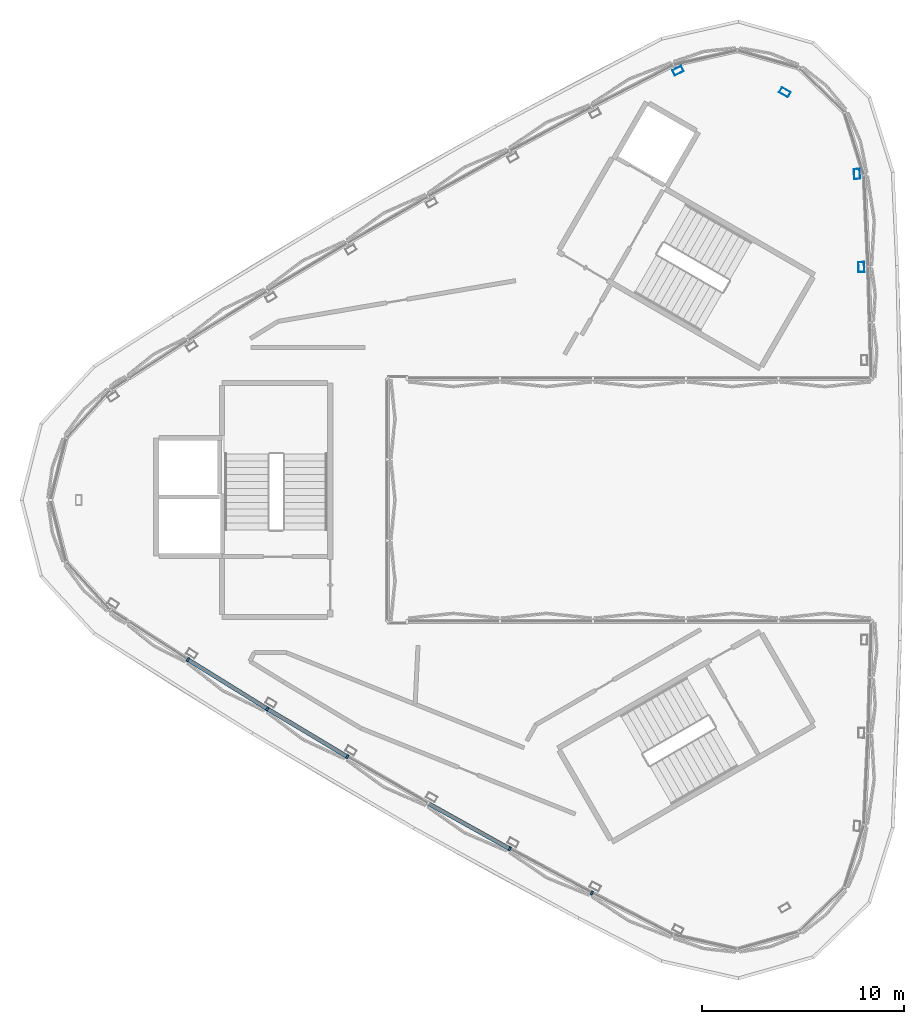
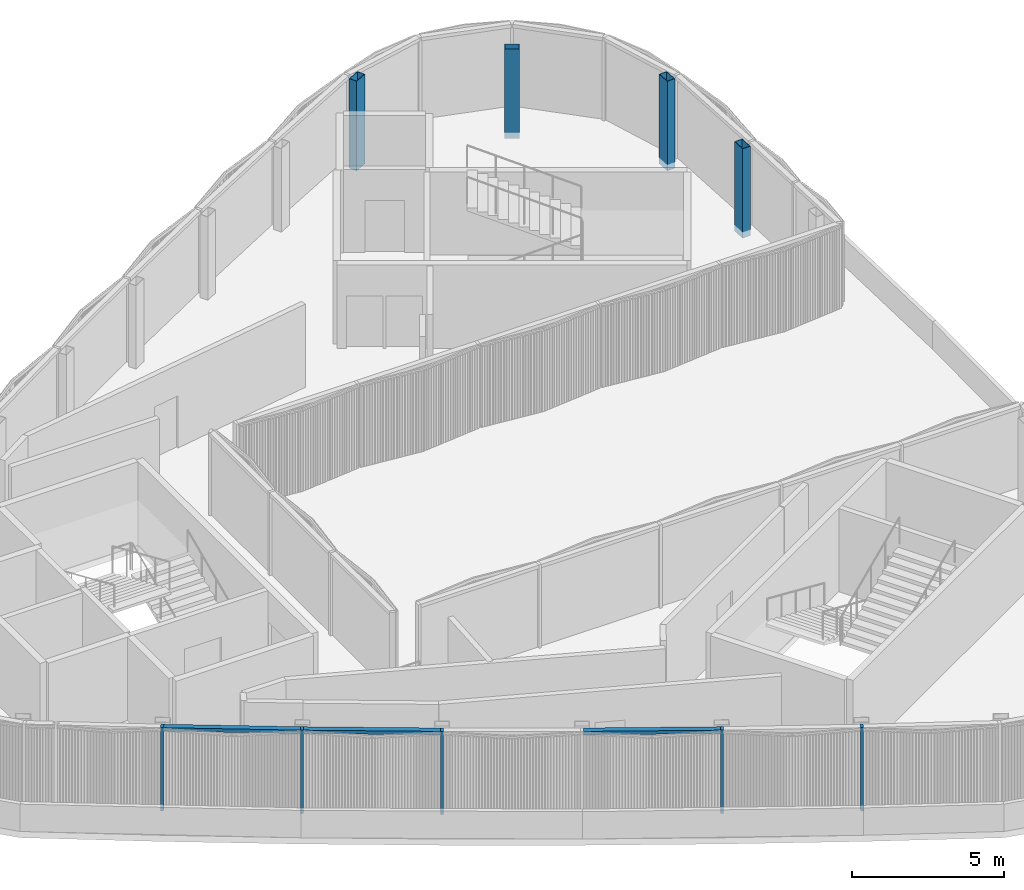
# One storey, part 2 of 16: 8 members, 4 columns, 1 element without a shape of its own.
"""IFC4 building model written with IfcOpenShell, lengths in metres."""

from ifc_helpers import new_model, si_unit, direction, frame, origin, origin_2d, place, context, subcontext, project, spatial, rectangle, hollow_rectangle, extrude, material, material_profile, profile_set, type_object, element, aggregate, save


model = new_model("IFC4")

# Units and contexts
model_context = context("Model", 3, precision=1e-05, world=origin(), true_north=direction((0.0, 1.0)))
body_context = subcontext(model_context, "Body", "Model", "MODEL_VIEW")
ifc_project = project(units=[si_unit("LENGTHUNIT", "METRE"), si_unit("AREAUNIT", "SQUARE_METRE"), si_unit("VOLUMEUNIT", "CUBIC_METRE"), si_unit("PLANEANGLEUNIT", "RADIAN"), si_unit("MASSUNIT", "GRAM", prefix="KILO")], contexts=[model_context])

# Site, building, storey
site_placement = place(None, origin())
site = spatial("IfcSite", under=ifc_project, at=site_placement, CompositionType="ELEMENT")
building_placement = place(site_placement, origin())
building = spatial("IfcBuilding", under=site, at=building_placement, Name="Tamra Quay Hotel Tower", CompositionType="ELEMENT")
storey_placement = place(building_placement, frame((0.0, 0.0, 320.60009765625)))
storey = spatial("IfcBuildingStorey", under=building, at=storey_placement, Name="Roof crown 1", CompositionType="ELEMENT", Elevation=320.60009765625)

# Columns
ifc_material_1 = material(Name="Structural steel IS 2062 E350", Category="steel")
ifc_material_profile_1 = material_profile(ifc_material_1, hollow_rectangle(XDim=0.300048828125, YDim=0.5, WallThickness=0.01611328125, at=origin_2d()), Name="RHS 500x300x16")
ifc_profile_set_1 = profile_set([ifc_material_profile_1], Name="Structural steel IS 2062 E350")
column_type = type_object("IfcColumnType", Name="CROWN FRAME POST RHS 500x300x16", PredefinedType="COLUMN", material=ifc_profile_set_1)
for number, where, z_axis, x_axis, name in (
    (1, (15.418212890625, 11.51513671875, -0.25), (0.0, 0.0, 1.0), (0.999251212442, 0.03869127076, 0.0), "CF-A-C6E07-Roofcrown1"),
    (2, (15.202392578125, 16.116943359375, -0.25), (0.0, 0.0, 1.0), (0.998490919119, 0.05491706873, 0.0), "CF-A-C6E08-Roofcrown1"),
    (3, (11.63671875, 20.1552734375, -0.25), (0.0, 0.0, 1.0), (0.5, 0.866025403784, 0.0), "CF-A-M6NE-Roofcrown1"),
    (4, (6.3564453125, 21.22412109375, -0.25), (0.0, 0.0, 1.0), (-0.451685882938, 0.89217703577, 0.0), "CF-A-C6NW01-Roofcrown1"),
):
    element("IfcColumn", number, at=place(storey_placement, frame(where, z_axis=z_axis, x_axis=x_axis)), inside=storey, type_object=column_type, Name=name, PredefinedType="COLUMN", context=body_context, shape_type="SweptSolid", body=[
        extrude(hollow_rectangle(XDim=0.300048828125, YDim=0.5, WallThickness=0.01611328125, at=origin_2d()), origin(), (0.0, 0.0, 1.0), 3.599853515625),
    ])

# Curtain wall, members
ifc_material_2 = material(Name="Aluminium 6063 anodised dark grey", Category="aluminium")
curtain_wall_type = type_object("IfcCurtainWallType", Name="CW6 CURTAIN WALL", PredefinedType="NOTDEFINED", material=ifc_material_2)
curtain_wall_placement = place(storey_placement, origin())
curtain_wall = element("IfcCurtainWall", 5, at=curtain_wall_placement, inside=storey, type_object=curtain_wall_type, Name="CW6 lantern B face Roof crown 1", PredefinedType="NOTDEFINED")
ifc_material_profile_2 = material_profile(ifc_material_2, rectangle(XDim=0.199951171875, YDim=0.10009765625, at=origin_2d()), Name="MULLION 100X200")
ifc_profile_set_2 = profile_set([ifc_material_profile_2], Name="Aluminium 6063 anodised dark grey")
member_type_1 = type_object("IfcMemberType", Name="MULLION CW6", PredefinedType="MULLION", material=ifc_profile_set_2)
member_1_placement = place(storey_placement, frame((-17.867919921875, -7.89111328125, 0.0), z_axis=(0.0, 0.0, 1.0), x_axis=(-0.533422330848, -0.845849050926, 0.0)))
member_1 = element("IfcMember", 6, at=member_1_placement, type_object=member_type_1, Name="CW6 mullion Roof crown 1.B.7", PredefinedType="MULLION", context=body_context, shape_type="SweptSolid", body=[
    extrude(rectangle(XDim=0.199951171875, YDim=0.10009765625, at=origin_2d()), origin(), (0.0, 0.0, 1.0), 3.349853515625),
])
member_2_placement = place(storey_placement, frame((-13.947509765625, -10.321044921875, 0.0), z_axis=(0.0, 0.0, 1.0), x_axis=(-0.520160185397, -0.854068721783, 0.0)))
member_2 = element("IfcMember", 7, at=member_2_placement, type_object=member_type_1, Name="CW6 mullion Roof crown 1.B.8", PredefinedType="MULLION", context=body_context, shape_type="SweptSolid", body=[
    extrude(rectangle(XDim=0.199951171875, YDim=0.10009765625, at=origin_2d()), origin(), (0.0, 0.0, 1.0), 3.349853515625),
])
member_3_placement = place(storey_placement, frame((-9.989501953125, -12.689453125, 0.0), z_axis=(0.0, 0.0, 1.0), x_axis=(-0.506753731218, -0.862090862901, 0.0)))
member_3 = element("IfcMember", 8, at=member_3_placement, type_object=member_type_1, Name="CW6 mullion Roof crown 1.B.9", PredefinedType="MULLION", context=body_context, shape_type="SweptSolid", body=[
    extrude(rectangle(XDim=0.199951171875, YDim=0.10009765625, at=origin_2d()), origin(), (0.0, 0.0, 1.0), 3.349853515625),
])
member_4_placement = place(storey_placement, frame((-1.96435546875, -17.239501953125, 0.0), z_axis=(0.0, 0.0, 1.0), x_axis=(-0.479565116943, -0.877506295483, 0.0)))
member_4 = element("IfcMember", 9, at=member_4_placement, type_object=member_type_1, Name="CW6 mullion Roof crown 1.B.11", PredefinedType="MULLION", context=body_context, shape_type="SweptSolid", body=[
    extrude(rectangle(XDim=0.199951171875, YDim=0.10009765625, at=origin_2d()), origin(), (0.0, 0.0, 1.0), 3.349853515625),
])
member_5_placement = place(storey_placement, frame((2.10009765625, -19.419677734375, 0.0), z_axis=(0.0, 0.0, 1.0), x_axis=(-0.465815600445, -0.884881814923, 0.0)))
member_5 = element("IfcMember", 10, at=member_5_placement, type_object=member_type_1, Name="CW6 mullion Roof crown 1.B.12", PredefinedType="MULLION", context=body_context, shape_type="SweptSolid", body=[
    extrude(rectangle(XDim=0.199951171875, YDim=0.10009765625, at=origin_2d()), origin(), (0.0, 0.0, 1.0), 3.349853515625),
])
ifc_material_profile_3 = material_profile(ifc_material_2, rectangle(XDim=0.199951171875, YDim=0.139892578125, at=origin_2d()), Name="TRANSOM 200X140")
ifc_profile_set_3 = profile_set([ifc_material_profile_3], Name="Aluminium 6063 anodised dark grey")
member_type_2 = type_object("IfcMemberType", Name="TRANSOM CW6", PredefinedType="USERDEFINED", material=ifc_profile_set_3)
member_6_placement = place(storey_placement, frame((-17.825439453125, -7.91748046875, 3.27978515625), z_axis=(0.849980220175, -0.526814602409, 0.0), x_axis=(0.526814602409, 0.849980220175, 0.0)))
member_6 = element("IfcMember", 11, at=member_6_placement, type_object=member_type_2, Name="CW6 transom Roof crown 1.B.7", ObjectType="TRANSOM", PredefinedType="USERDEFINED", context=body_context, shape_type="SweptSolid", body=[
    extrude(rectangle(XDim=0.199951171875, YDim=0.139892578125, at=origin_2d()), origin(), (0.0, 0.0, 1.0), 4.512451171875),
])
member_7_placement = place(storey_placement, frame((-13.904541015625, -10.3466796875, 3.27978515625), z_axis=(0.858103349305, -0.513477012058, 0.0), x_axis=(0.513477012058, 0.858103349305, 0.0)))
member_7 = element("IfcMember", 12, at=member_7_placement, type_object=member_type_2, Name="CW6 transom Roof crown 1.B.8", ObjectType="TRANSOM", PredefinedType="USERDEFINED", context=body_context, shape_type="SweptSolid", body=[
    extrude(rectangle(XDim=0.199951171875, YDim=0.139892578125, at=origin_2d()), origin(), (0.0, 0.0, 1.0), 4.5126953125),
])
member_8_placement = place(storey_placement, frame((-5.950927734375, -15.02001953125, 3.27978515625), z_axis=(0.8737256573, -0.486419033114, 0.0), x_axis=(0.486419033114, 0.8737256573, 0.0)))
member_8 = element("IfcMember", 13, at=member_8_placement, type_object=member_type_2, Name="CW6 transom Roof crown 1.B.10", ObjectType="TRANSOM", PredefinedType="USERDEFINED", context=body_context, shape_type="SweptSolid", body=[
    extrude(rectangle(XDim=0.199951171875, YDim=0.139892578125, at=origin_2d()), origin(), (0.0, 0.0, 1.0), 4.5126953125),
])
aggregate(curtain_wall, [member_1, member_6, member_2, member_7, member_3, member_8, member_4, member_5])

save(model, "model.ifc")
